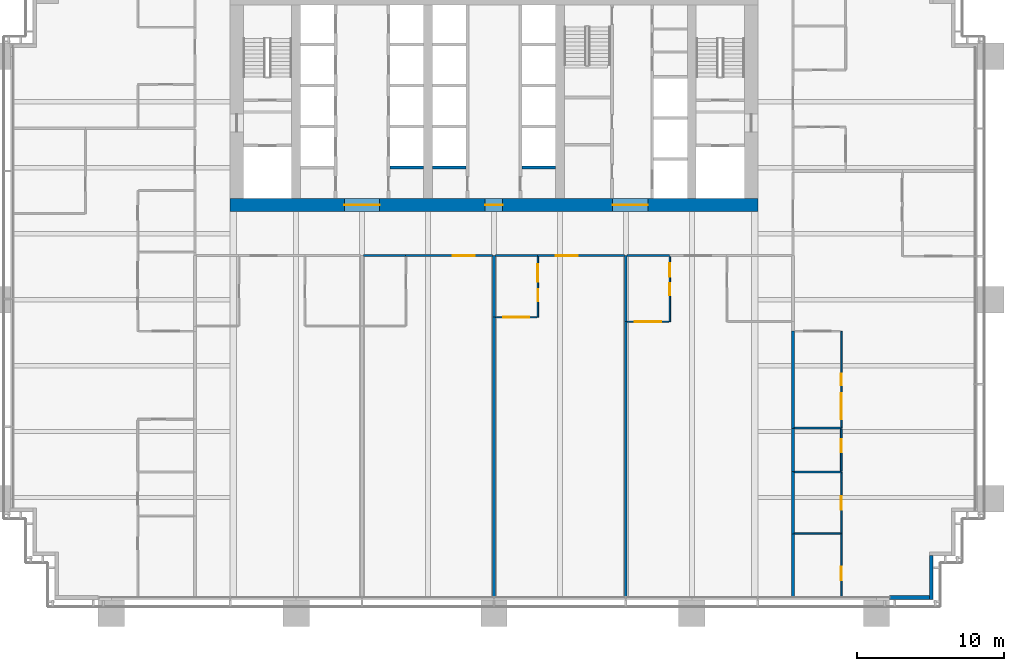
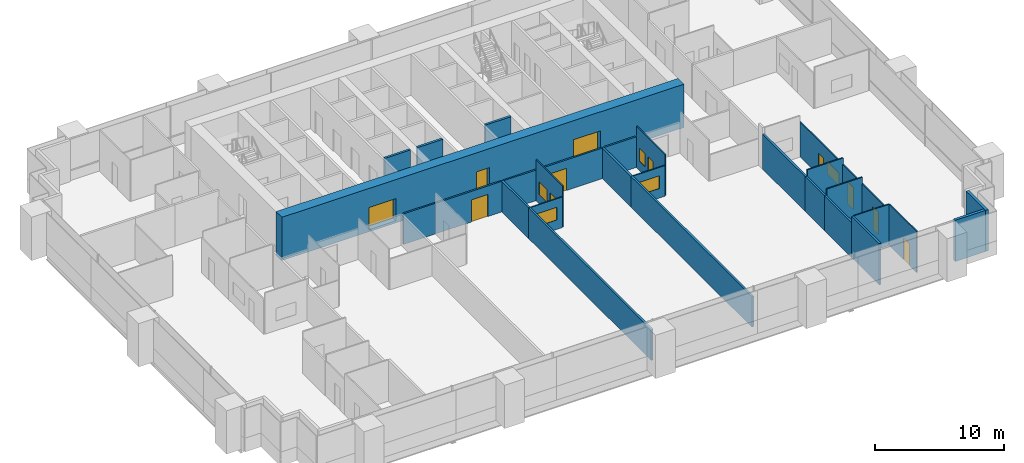
# One storey, part 12 of 20: 30 walls, 11 doors, 5 windows, 16 openings.
"""IFC4 building model written with IfcOpenShell, lengths in metres."""

from ifc_helpers import new_model, si_unit, direction, frame, frame_2d, origin, place, context, subcontext, project, spatial, rectangle, extrude, material, layer, layer_set, type_object, element, fill, save


model = new_model("IFC4")

# Units and contexts
model_context = context("Model", 3, precision=1e-05, world=origin(), true_north=direction((0.0, 1.0)))
body_context = subcontext(model_context, "Body", "Model", "MODEL_VIEW")
ifc_project = project(units=[si_unit("LENGTHUNIT", "METRE"), si_unit("AREAUNIT", "SQUARE_METRE"), si_unit("VOLUMEUNIT", "CUBIC_METRE"), si_unit("PLANEANGLEUNIT", "RADIAN"), si_unit("MASSUNIT", "GRAM", prefix="KILO")], contexts=[model_context])

# Site, building, storey
site_placement = place(None, origin())
site = spatial("IfcSite", under=ifc_project, at=site_placement, CompositionType="ELEMENT")
building_placement = place(site_placement, origin())
building = spatial("IfcBuilding", under=site, at=building_placement, Name="Rattan Terrace Tower", CompositionType="ELEMENT")
storey_placement = place(building_placement, frame((0.0, 0.0, 40.60009765625)))
storey = spatial("IfcBuildingStorey", under=building, at=storey_placement, Name="L08", CompositionType="ELEMENT", Elevation=40.60009765625)

# Wall, openings, doors
ifc_material_1 = material(Name="Concrete C70/85", Category="concrete")
ifc_layer_1 = layer(ifc_material_1, 0.89990234375)
ifc_layer_set_1 = layer_set([ifc_layer_1], Name="Core ring wall 900 C70/85")
wall_type_1 = type_object("IfcWallType", Name="Core ring wall 900 C70/85", PredefinedType="SHEAR", material=ifc_layer_set_1)
wall_1_placement = place(storey_placement, frame((-18.0, -7.050048828125, -0.2001953125), z_axis=(0.0, 0.0, 1.0), x_axis=(1.0, 0.0, 0.0)))
wall_1 = element("IfcWall", 1, at=wall_1_placement, inside=storey, type_object=wall_type_1, Name="Rear core wall south", PredefinedType="SHEAR", context=body_context, shape_type="SweptSolid", body=[
    extrude(rectangle(XDim=36.0, YDim=0.89990234375, at=frame_2d((18.0, 0.0))), origin(), (0.0, 0.0, 1.0), 4.10009765625),
])
opening_1_placement = place(wall_1_placement, frame((7.800048828125, 0.0, 0.199951171875)))
opening_1 = element("IfcOpeningElement", 2, at=opening_1_placement, cuts=wall_1, Name="Opening L08-D007", PredefinedType="OPENING", context=body_context, shape_type="SweptSolid", body=[
    extrude(rectangle(XDim=2.39990234375, YDim=2.10009765625, at=frame_2d((1.199951171875, 1.050048828125))), frame((0.0, 0.46044921875, 0.0), z_axis=(0.0, -1.0, 0.0), x_axis=(1.0, 0.0, 0.0)), (0.0, 0.0, 1.0), 0.9208984375),
])
opening_2_placement = place(wall_1_placement, frame((17.39990234375, 0.0, 0.199951171875)))
opening_2 = element("IfcOpeningElement", 3, at=opening_2_placement, cuts=wall_1, Name="Opening L08-D010", PredefinedType="OPENING", context=body_context, shape_type="SweptSolid", body=[
    extrude(rectangle(XDim=1.199951171875, YDim=2.10009765625, at=frame_2d((0.60009765625, 1.050048828125))), frame((0.0, 0.46044921875, 0.0), z_axis=(0.0, -1.0, 0.0), x_axis=(1.0, 0.0, 0.0)), (0.0, 0.0, 1.0), 0.9208984375),
])
opening_3_placement = place(wall_1_placement, frame((26.10009765625, 0.0, 0.199951171875)))
opening_3 = element("IfcOpeningElement", 4, at=opening_3_placement, cuts=wall_1, Name="Opening L08-D014", PredefinedType="OPENING", context=body_context, shape_type="SweptSolid", body=[
    extrude(rectangle(XDim=2.39990234375, YDim=2.10009765625, at=frame_2d((1.199951171875, 1.050048828125))), frame((0.0, 0.46044921875, 0.0), z_axis=(0.0, -1.0, 0.0), x_axis=(1.0, 0.0, 0.0)), (0.0, 0.0, 1.0), 0.9208984375),
])
ifc_material_2 = material(Name="Hollow-metal fire door leaf")
door_type_1 = type_object("IfcDoorType", Name="Core lift lobby door 2400", OperationType="NOTDEFINED", PredefinedType="DOOR", material=ifc_material_2)
door_1_placement = place(opening_1_placement, origin())
door_1 = element("IfcDoor", 5, at=door_1_placement, inside=storey, type_object=door_type_1, Name="Door L08-D007", OperationType="DOUBLE_DOOR_DOUBLE_SWING", OverallHeight=2.10009765625, OverallWidth=2.39990234375, PredefinedType="DOOR", context=body_context, shape_type="SweptSolid", body=[
    extrude(rectangle(XDim=2.39990234375, YDim=2.10009765625, at=frame_2d((1.199951171875, 1.050048828125))), frame((0.0, 0.02490234375, 0.0), z_axis=(0.0, -1.0, 0.0), x_axis=(1.0, 0.0, 0.0)), (0.0, 0.0, 1.0), 0.050048828125),
])
fill(opening_1, door_1)
door_2_placement = place(opening_3_placement, origin())
door_2 = element("IfcDoor", 6, at=door_2_placement, inside=storey, type_object=door_type_1, Name="Door L08-D014", OperationType="DOUBLE_DOOR_DOUBLE_SWING", OverallHeight=2.10009765625, OverallWidth=2.39990234375, PredefinedType="DOOR", context=body_context, shape_type="SweptSolid", body=[
    extrude(rectangle(XDim=2.39990234375, YDim=2.10009765625, at=frame_2d((1.199951171875, 1.050048828125))), frame((0.0, 0.02490234375, 0.0), z_axis=(0.0, -1.0, 0.0), x_axis=(1.0, 0.0, 0.0)), (0.0, 0.0, 1.0), 0.050048828125),
])
fill(opening_3, door_2)
ifc_material_3 = material(Name="Hollow-metal fire door leaf")
door_type_2 = type_object("IfcDoorType", Name="Core riser door 1200", OperationType="NOTDEFINED", PredefinedType="DOOR", material=ifc_material_3)
door_3_placement = place(opening_2_placement, origin())
door_3 = element("IfcDoor", 7, at=door_3_placement, inside=storey, type_object=door_type_2, Name="Door L08-D010", OperationType="SINGLE_SWING_RIGHT", OverallHeight=2.10009765625, OverallWidth=1.199951171875, PredefinedType="DOOR", context=body_context, shape_type="SweptSolid", body=[
    extrude(rectangle(XDim=1.199951171875, YDim=2.10009765625, at=frame_2d((0.60009765625, 1.050048828125))), frame((0.0, 0.02490234375, 0.0), z_axis=(0.0, -1.0, 0.0), x_axis=(1.0, 0.0, 0.0)), (0.0, 0.0, 1.0), 0.050048828125),
])
fill(opening_2, door_3)

# Walls
ifc_material_4 = material(Name="Insulated aluminium-clad stud wall", Category="aluminium")
ifc_layer_2 = layer(ifc_material_4, 0.25)
ifc_layer_set_2 = layer_set([ifc_layer_2], Name="Facade Riser Wall 250")
wall_type_2 = type_object("IfcWallType", Name="Facade Riser Wall 250", PredefinedType="SOLIDWALL", material=ifc_layer_set_2)
wall_2_placement = place(storey_placement, frame((27.0, -33.830078125, 0.0), z_axis=(0.0, 0.0, 1.0), x_axis=(1.0, 0.0, 0.0)))
element("IfcWall", 8, at=wall_2_placement, inside=storey, type_object=wall_type_2, Name="Riser wall L08-1", PredefinedType="SOLIDWALL", context=body_context, shape_type="SweptSolid", body=[
    extrude(rectangle(XDim=2.705078125, YDim=0.25, at=frame_2d((1.3525390625, 0.0))), origin(), (0.0, 0.0, 1.0), 3.89990234375),
])
wall_3_placement = place(storey_placement, frame((29.830078125, -33.955078125, 0.0), z_axis=(0.0, 0.0, 1.0), x_axis=(0.0, 1.0, 0.0)))
element("IfcWall", 9, at=wall_3_placement, inside=storey, type_object=wall_type_2, Name="Riser wall L08-2", PredefinedType="SOLIDWALL", context=body_context, shape_type="SweptSolid", body=[
    extrude(rectangle(XDim=3.0, YDim=0.25, at=frame_2d((1.5, 0.0))), origin(), (0.0, 0.0, 1.0), 3.89990234375),
])
ifc_material_5 = material(Name="Double steel stud acoustic partition, gypsum board, mineral wool, fire rated", Category="steel")
ifc_layer_3 = layer(ifc_material_5, 0.179931640625)
ifc_layer_set_3 = layer_set([ifc_layer_3], Name="Floors Acoustic Party Wall 180")
wall_type_3 = type_object("IfcWallType", Name="Floors Acoustic Party Wall 180", PredefinedType="PARTITIONING", material=ifc_layer_set_3)
wall_4_placement = place(storey_placement, frame((0.0, -14.679931640625, 0.0), z_axis=(0.0, 0.0, 1.0), x_axis=(0.0, -1.0, 0.0)))
element("IfcWall", 10, at=wall_4_placement, inside=storey, type_object=wall_type_3, Name="pt-L08-056", PredefinedType="PARTITIONING", context=body_context, shape_type="SweptSolid", body=[
    extrude(rectangle(XDim=19.06005859375, YDim=0.179931640625, at=frame_2d((9.530029296875, 0.0))), origin(), (0.0, 0.0, 1.0), 2.89990234375),
])
wall_5_placement = place(storey_placement, frame((0.0, -10.5, 0.0), z_axis=(0.0, 0.0, 1.0), x_axis=(0.0, -1.0, 0.0)))
element("IfcWall", 11, at=wall_5_placement, inside=storey, type_object=wall_type_3, Name="pt-L08-057", PredefinedType="PARTITIONING", context=body_context, shape_type="SweptSolid", body=[
    extrude(rectangle(XDim=4.179931640625, YDim=0.179931640625, at=frame_2d((2.08984375, 0.0))), origin(), (0.0, 0.0, 1.0), 2.89990234375),
])
wall_6_placement = place(storey_placement, frame((9.0, -14.97998046875, 0.0), z_axis=(0.0, 0.0, 1.0), x_axis=(0.0, -1.0, 0.0)))
element("IfcWall", 12, at=wall_6_placement, inside=storey, type_object=wall_type_3, Name="pt-L08-060", PredefinedType="PARTITIONING", context=body_context, shape_type="SweptSolid", body=[
    extrude(rectangle(XDim=18.760009765625, YDim=0.179931640625, at=frame_2d((9.3798828125, 0.0))), origin(), (0.0, 0.0, 1.0), 2.89990234375),
])
wall_7_placement = place(storey_placement, frame((9.0, -10.5, 0.0), z_axis=(0.0, 0.0, 1.0), x_axis=(0.0, -1.0, 0.0)))
element("IfcWall", 13, at=wall_7_placement, inside=storey, type_object=wall_type_3, Name="pt-L08-061", PredefinedType="PARTITIONING", context=body_context, shape_type="SweptSolid", body=[
    extrude(rectangle(XDim=4.47998046875, YDim=0.179931640625, at=frame_2d((2.239990234375, 0.0))), origin(), (0.0, 0.0, 1.0), 2.89990234375),
])
wall_8_placement = place(storey_placement, frame((20.39990234375, -29.47998046875, 0.0), z_axis=(0.0, 0.0, 1.0), x_axis=(0.0, -1.0, 0.0)))
element("IfcWall", 14, at=wall_8_placement, inside=storey, type_object=wall_type_3, Name="pt-L08-067", PredefinedType="PARTITIONING", context=body_context, shape_type="SweptSolid", body=[
    extrude(rectangle(XDim=4.260009765625, YDim=0.179931640625, at=frame_2d((2.1298828125, 0.0))), origin(), (0.0, 0.0, 1.0), 3.89990234375),
])
wall_9_placement = place(storey_placement, frame((20.39990234375, -25.239990234375, 0.0), z_axis=(0.0, 0.0, 1.0), x_axis=(0.0, -1.0, 0.0)))
element("IfcWall", 15, at=wall_9_placement, inside=storey, type_object=wall_type_3, Name="pt-L08-068", PredefinedType="PARTITIONING", context=body_context, shape_type="SweptSolid", body=[
    extrude(rectangle(XDim=4.239990234375, YDim=0.179931640625, at=frame_2d((2.1201171875, 0.0))), origin(), (0.0, 0.0, 1.0), 3.2998046875),
])
wall_10_placement = place(storey_placement, frame((20.39990234375, -22.280029296875, 0.0), z_axis=(0.0, 0.0, 1.0), x_axis=(0.0, -1.0, 0.0)))
element("IfcWall", 16, at=wall_10_placement, inside=storey, type_object=wall_type_3, Name="pt-L08-069", PredefinedType="PARTITIONING", context=body_context, shape_type="SweptSolid", body=[
    extrude(rectangle(XDim=2.9599609375, YDim=0.179931640625, at=frame_2d((1.47998046875, 0.0))), origin(), (0.0, 0.0, 1.0), 3.2998046875),
])
wall_11_placement = place(storey_placement, frame((20.39990234375, -15.639892578125, 0.0), z_axis=(0.0, 0.0, 1.0), x_axis=(0.0, -1.0, 0.0)))
element("IfcWall", 17, at=wall_11_placement, inside=storey, type_object=wall_type_3, Name="pt-L08-070", PredefinedType="PARTITIONING", context=body_context, shape_type="SweptSolid", body=[
    extrude(rectangle(XDim=6.64013671875, YDim=0.179931640625, at=frame_2d((3.320068359375, 0.0))), origin(), (0.0, 0.0, 1.0), 3.2998046875),
])

# Wall, opening, window
ifc_material_6 = material(Name="Gypsum board partition on steel studs", Category="steel")
ifc_layer_4 = layer(ifc_material_6, 0.10009765625)
ifc_layer_set_4 = layer_set([ifc_layer_4], Name="Floors Partition 100")
wall_type_4 = type_object("IfcWallType", Name="Floors Partition 100", PredefinedType="PARTITIONING", material=ifc_layer_set_4)
wall_12_placement = place(storey_placement, frame((0.090087890625, -14.699951171875, 0.0), z_axis=(0.0, 0.0, 1.0), x_axis=(1.0, 0.0, 0.0)))
wall_12 = element("IfcWall", 18, at=wall_12_placement, inside=storey, type_object=wall_type_4, Name="pt-L08-058", PredefinedType="PARTITIONING", context=body_context, shape_type="SweptSolid", body=[
    extrude(rectangle(XDim=2.85986328125, YDim=0.10009765625, at=frame_2d((1.429931640625, 0.0))), origin(), (0.0, 0.0, 1.0), 2.89990234375),
])
opening_4_placement = place(wall_12_placement, frame((0.530029296875, 0.0, 0.89990234375)))
opening_4 = element("IfcOpeningElement", 19, at=opening_4_placement, cuts=wall_12, Name="Opening L08-W102", PredefinedType="OPENING", context=body_context, shape_type="SweptSolid", body=[
    extrude(rectangle(XDim=1.800048828125, YDim=1.199951171875, at=frame_2d((0.89990234375, 0.60009765625))), frame((0.0, 0.060546875, 0.0), z_axis=(0.0, -1.0, 0.0), x_axis=(1.0, 0.0, 0.0)), (0.0, 0.0, 1.0), 0.12109375),
])
ifc_material_7 = material(Name="Glass, clear, fixed in aluminium frame", Category="aluminium")
window_type_1 = type_object("IfcWindowType", Name="Interior Vision Window 1800x1200", PartitioningType="SINGLE_PANEL", PredefinedType="WINDOW", material=ifc_material_7)
window_1_placement = place(opening_4_placement, origin())
window_1 = element("IfcWindow", 20, at=window_1_placement, inside=storey, type_object=window_type_1, Name="w-L08-102", OverallHeight=1.199951171875, OverallWidth=1.800048828125, PartitioningType="SINGLE_PANEL", PredefinedType="WINDOW", context=body_context, shape_type="SweptSolid", body=[
    extrude(rectangle(XDim=1.800048828125, YDim=1.199951171875, at=frame_2d((0.89990234375, 0.60009765625))), frame((0.0, 0.030029296875, 0.0), z_axis=(0.0, -1.0, 0.0), x_axis=(1.0, 0.0, 0.0)), (0.0, 0.0, 1.0), 0.06005859375),
])
fill(opening_4, window_1)

# Wall, openings, door, window
wall_13_placement = place(storey_placement, frame((3.0, -14.699951171875, 0.0), z_axis=(0.0, 0.0, 1.0), x_axis=(0.0, 1.0, 0.0)))
wall_13 = element("IfcWall", 21, at=wall_13_placement, inside=storey, type_object=wall_type_4, Name="pt-L08-059", PredefinedType="PARTITIONING", context=body_context, shape_type="SweptSolid", body=[
    extrude(rectangle(XDim=4.125, YDim=0.10009765625, at=frame_2d((2.0625, 0.0))), origin(), (0.0, 0.0, 1.0), 3.89990234375),
])
opening_5_placement = place(wall_13_placement, frame((1.097900390625, 0.0, 0.0)))
opening_5 = element("IfcOpeningElement", 22, at=opening_5_placement, cuts=wall_13, Name="Opening L08-D116", PredefinedType="OPENING", context=body_context, shape_type="SweptSolid", body=[
    extrude(rectangle(XDim=0.800048828125, YDim=2.10009765625, at=frame_2d((0.39990234375, 1.050048828125))), frame((0.0, 0.060546875, 0.0), z_axis=(0.0, -1.0, 0.0), x_axis=(1.0, 0.0, 0.0)), (0.0, 0.0, 1.0), 0.12109375),
])
opening_6_placement = place(wall_13_placement, frame((2.410888671875, 0.0, 0.89990234375)))
opening_6 = element("IfcOpeningElement", 23, at=opening_6_placement, cuts=wall_13, Name="Opening L08-W103", PredefinedType="OPENING", context=body_context, shape_type="SweptSolid", body=[
    extrude(rectangle(XDim=1.199951171875, YDim=1.199951171875, at=frame_2d((0.60009765625, 0.60009765625))), frame((0.0, 0.060546875, 0.0), z_axis=(0.0, -1.0, 0.0), x_axis=(1.0, 0.0, 0.0)), (0.0, 0.0, 1.0), 0.12109375),
])
ifc_material_8 = material(Name="Solid core timber door, painted", Category="wood")
door_type_3 = type_object("IfcDoorType", Name="Floors Store Door 800x2100", OperationType="NOTDEFINED", PredefinedType="DOOR", material=ifc_material_8)
door_4_placement = place(opening_5_placement, origin())
door_4 = element("IfcDoor", 24, at=door_4_placement, inside=storey, type_object=door_type_3, Name="d-L08-116", OperationType="SINGLE_SWING_LEFT", OverallHeight=2.10009765625, OverallWidth=0.800048828125, PredefinedType="DOOR", context=body_context, shape_type="SweptSolid", body=[
    extrude(rectangle(XDim=0.800048828125, YDim=2.10009765625, at=frame_2d((0.39990234375, 1.050048828125))), frame((0.0, 0.02490234375, 0.0), z_axis=(0.0, -1.0, 0.0), x_axis=(1.0, 0.0, 0.0)), (0.0, 0.0, 1.0), 0.050048828125),
])
fill(opening_5, door_4)
ifc_material_9 = material(Name="Glass, clear, fixed in aluminium frame", Category="aluminium")
window_type_2 = type_object("IfcWindowType", Name="Interior Vision Window 1200x1200", PartitioningType="SINGLE_PANEL", PredefinedType="WINDOW", material=ifc_material_9)
window_2_placement = place(opening_6_placement, origin())
window_2 = element("IfcWindow", 25, at=window_2_placement, inside=storey, type_object=window_type_2, Name="w-L08-103", OverallHeight=1.199951171875, OverallWidth=1.199951171875, PartitioningType="SINGLE_PANEL", PredefinedType="WINDOW", context=body_context, shape_type="SweptSolid", body=[
    extrude(rectangle(XDim=1.199951171875, YDim=1.199951171875, at=frame_2d((0.60009765625, 0.60009765625))), frame((0.0, 0.030029296875, 0.0), z_axis=(0.0, -1.0, 0.0), x_axis=(1.0, 0.0, 0.0)), (0.0, 0.0, 1.0), 0.06005859375),
])
fill(opening_6, window_2)

# Wall, opening, window
wall_14_placement = place(storey_placement, frame((9.090087890625, -15.0, 0.0), z_axis=(0.0, 0.0, 1.0), x_axis=(1.0, 0.0, 0.0)))
wall_14 = element("IfcWall", 26, at=wall_14_placement, inside=storey, type_object=wall_type_4, Name="pt-L08-062", PredefinedType="PARTITIONING", context=body_context, shape_type="SweptSolid", body=[
    extrude(rectangle(XDim=2.85986328125, YDim=0.10009765625, at=frame_2d((1.429931640625, 0.0))), origin(), (0.0, 0.0, 1.0), 2.89990234375),
])
opening_7_placement = place(wall_14_placement, frame((0.530029296875, 0.0, 0.89990234375)))
opening_7 = element("IfcOpeningElement", 27, at=opening_7_placement, cuts=wall_14, Name="Opening L08-W104", PredefinedType="OPENING", context=body_context, shape_type="SweptSolid", body=[
    extrude(rectangle(XDim=1.800048828125, YDim=1.199951171875, at=frame_2d((0.89990234375, 0.60009765625))), frame((0.0, 0.060546875, 0.0), z_axis=(0.0, -1.0, 0.0), x_axis=(1.0, 0.0, 0.0)), (0.0, 0.0, 1.0), 0.12109375),
])
window_3_placement = place(opening_7_placement, origin())
window_3 = element("IfcWindow", 28, at=window_3_placement, inside=storey, type_object=window_type_1, Name="w-L08-104", OverallHeight=1.199951171875, OverallWidth=1.800048828125, PartitioningType="SINGLE_PANEL", PredefinedType="WINDOW", context=body_context, shape_type="SweptSolid", body=[
    extrude(rectangle(XDim=1.800048828125, YDim=1.199951171875, at=frame_2d((0.89990234375, 0.60009765625))), frame((0.0, 0.030029296875, 0.0), z_axis=(0.0, -1.0, 0.0), x_axis=(1.0, 0.0, 0.0)), (0.0, 0.0, 1.0), 0.06005859375),
])
fill(opening_7, window_3)

# Wall, openings, door, window
wall_15_placement = place(storey_placement, frame((12.0, -15.0, 0.0), z_axis=(0.0, 0.0, 1.0), x_axis=(0.0, 1.0, 0.0)))
wall_15 = element("IfcWall", 29, at=wall_15_placement, inside=storey, type_object=wall_type_4, Name="pt-L08-063", PredefinedType="PARTITIONING", context=body_context, shape_type="SweptSolid", body=[
    extrude(rectangle(XDim=4.425048828125, YDim=0.10009765625, at=frame_2d((2.21240234375, 0.0))), origin(), (0.0, 0.0, 1.0), 3.89990234375),
])
opening_8_placement = place(wall_15_placement, frame((1.81298828125, 0.0, 0.0)))
opening_8 = element("IfcOpeningElement", 30, at=opening_8_placement, cuts=wall_15, Name="Opening L08-D118", PredefinedType="OPENING", context=body_context, shape_type="SweptSolid", body=[
    extrude(rectangle(XDim=0.800048828125, YDim=2.10009765625, at=frame_2d((0.39990234375, 1.050048828125))), frame((0.0, 0.060546875, 0.0), z_axis=(0.0, -1.0, 0.0), x_axis=(1.0, 0.0, 0.0)), (0.0, 0.0, 1.0), 0.12109375),
])
opening_9_placement = place(wall_15_placement, frame((3.069091796875, 0.0, 0.89990234375)))
opening_9 = element("IfcOpeningElement", 31, at=opening_9_placement, cuts=wall_15, Name="Opening L08-W105", PredefinedType="OPENING", context=body_context, shape_type="SweptSolid", body=[
    extrude(rectangle(XDim=0.89990234375, YDim=1.199951171875, at=frame_2d((0.449951171875, 0.60009765625))), frame((0.0, 0.060546875, 0.0), z_axis=(0.0, -1.0, 0.0), x_axis=(1.0, 0.0, 0.0)), (0.0, 0.0, 1.0), 0.12109375),
])
door_5_placement = place(opening_8_placement, origin())
door_5 = element("IfcDoor", 32, at=door_5_placement, inside=storey, type_object=door_type_3, Name="d-L08-118", OperationType="SINGLE_SWING_LEFT", OverallHeight=2.10009765625, OverallWidth=0.800048828125, PredefinedType="DOOR", context=body_context, shape_type="SweptSolid", body=[
    extrude(rectangle(XDim=0.800048828125, YDim=2.10009765625, at=frame_2d((0.39990234375, 1.050048828125))), frame((0.0, 0.02490234375, 0.0), z_axis=(0.0, -1.0, 0.0), x_axis=(1.0, 0.0, 0.0)), (0.0, 0.0, 1.0), 0.050048828125),
])
fill(opening_8, door_5)
ifc_material_10 = material(Name="Glass, clear, fixed in aluminium frame", Category="aluminium")
window_type_3 = type_object("IfcWindowType", Name="Interior Vision Window 900x1200", PartitioningType="SINGLE_PANEL", PredefinedType="WINDOW", material=ifc_material_10)
window_4_placement = place(opening_9_placement, origin())
window_4 = element("IfcWindow", 33, at=window_4_placement, inside=storey, type_object=window_type_3, Name="w-L08-105", OverallHeight=1.199951171875, OverallWidth=0.89990234375, PartitioningType="SINGLE_PANEL", PredefinedType="WINDOW", context=body_context, shape_type="SweptSolid", body=[
    extrude(rectangle(XDim=0.89990234375, YDim=1.199951171875, at=frame_2d((0.449951171875, 0.60009765625))), frame((0.0, 0.030029296875, 0.0), z_axis=(0.0, -1.0, 0.0), x_axis=(1.0, 0.0, 0.0)), (0.0, 0.0, 1.0), 0.06005859375),
])
fill(opening_9, window_4)

# Wall, opening, door
wall_16_placement = place(storey_placement, frame((23.699951171875, -33.739990234375, 0.0), z_axis=(0.0, 0.0, 1.0), x_axis=(0.0, 1.0, 0.0)))
wall_16 = element("IfcWall", 34, at=wall_16_placement, inside=storey, type_object=wall_type_4, Name="pt-L08-074", PredefinedType="PARTITIONING", context=body_context, shape_type="SweptSolid", body=[
    extrude(rectangle(XDim=4.260009765625, YDim=0.10009765625, at=frame_2d((2.1298828125, 0.0))), origin(), (0.0, 0.0, 1.0), 3.89990234375),
])
opening_10_placement = place(wall_16_placement, frame((1.10791015625, 0.0, 0.0)))
opening_10 = element("IfcOpeningElement", 35, at=opening_10_placement, cuts=wall_16, Name="Opening L08-D122", PredefinedType="OPENING", context=body_context, shape_type="SweptSolid", body=[
    extrude(rectangle(XDim=0.89990234375, YDim=2.10009765625, at=frame_2d((0.449951171875, 1.050048828125))), frame((0.0, 0.060546875, 0.0), z_axis=(0.0, -1.0, 0.0), x_axis=(1.0, 0.0, 0.0)), (0.0, 0.0, 1.0), 0.12109375),
])
ifc_material_11 = material(Name="Solid core timber door, painted", Category="wood")
door_type_4 = type_object("IfcDoorType", Name="Floors Door 900x2100", OperationType="NOTDEFINED", PredefinedType="DOOR", material=ifc_material_11)
door_6_placement = place(opening_10_placement, origin())
door_6 = element("IfcDoor", 36, at=door_6_placement, inside=storey, type_object=door_type_4, Name="d-L08-122", OperationType="SINGLE_SWING_LEFT", OverallHeight=2.10009765625, OverallWidth=0.89990234375, PredefinedType="DOOR", context=body_context, shape_type="SweptSolid", body=[
    extrude(rectangle(XDim=0.89990234375, YDim=2.10009765625, at=frame_2d((0.449951171875, 1.050048828125))), frame((0.0, 0.02490234375, 0.0), z_axis=(0.0, -1.0, 0.0), x_axis=(1.0, 0.0, 0.0)), (0.0, 0.0, 1.0), 0.050048828125),
])
fill(opening_10, door_6)

wall_17_placement = place(storey_placement, frame((23.699951171875, -29.47998046875, 0.0), z_axis=(0.0, 0.0, 1.0), x_axis=(0.0, 1.0, 0.0)))
wall_17 = element("IfcWall", 37, at=wall_17_placement, inside=storey, type_object=wall_type_4, Name="pt-L08-075", PredefinedType="PARTITIONING", context=body_context, shape_type="SweptSolid", body=[
    extrude(rectangle(XDim=4.199951171875, YDim=0.10009765625, at=frame_2d((2.10009765625, 0.0))), origin(), (0.0, 0.0, 1.0), 3.2998046875),
])
opening_11_placement = place(wall_17_placement, frame((1.64990234375, 0.0, 0.0)))
opening_11 = element("IfcOpeningElement", 38, at=opening_11_placement, cuts=wall_17, Name="Opening L08-D123", PredefinedType="OPENING", context=body_context, shape_type="SweptSolid", body=[
    extrude(rectangle(XDim=0.89990234375, YDim=2.10009765625, at=frame_2d((0.449951171875, 1.050048828125))), frame((0.0, 0.060546875, 0.0), z_axis=(0.0, -1.0, 0.0), x_axis=(1.0, 0.0, 0.0)), (0.0, 0.0, 1.0), 0.12109375),
])
door_7_placement = place(opening_11_placement, origin())
door_7 = element("IfcDoor", 39, at=door_7_placement, inside=storey, type_object=door_type_4, Name="d-L08-123", OperationType="SINGLE_SWING_RIGHT", OverallHeight=2.10009765625, OverallWidth=0.89990234375, PredefinedType="DOOR", context=body_context, shape_type="SweptSolid", body=[
    extrude(rectangle(XDim=0.89990234375, YDim=2.10009765625, at=frame_2d((0.449951171875, 1.050048828125))), frame((0.0, 0.02490234375, 0.0), z_axis=(0.0, -1.0, 0.0), x_axis=(1.0, 0.0, 0.0)), (0.0, 0.0, 1.0), 0.050048828125),
])
fill(opening_11, door_7)

# Wall, openings, door, window
wall_18_placement = place(storey_placement, frame((23.699951171875, -22.239990234375, 0.0), z_axis=(0.0, 0.0, 1.0), x_axis=(0.0, 1.0, 0.0)))
wall_18 = element("IfcWall", 40, at=wall_18_placement, inside=storey, type_object=wall_type_4, Name="pt-L08-078", PredefinedType="PARTITIONING", context=body_context, shape_type="SweptSolid", body=[
    extrude(rectangle(XDim=6.580078125, YDim=0.10009765625, at=frame_2d((3.2900390625, 0.0))), origin(), (0.0, 0.0, 1.0), 3.2998046875),
])
opening_12_placement = place(wall_18_placement, frame((2.889892578125, 0.0, 0.0)))
opening_12 = element("IfcOpeningElement", 41, at=opening_12_placement, cuts=wall_18, Name="Opening L08-D125", PredefinedType="OPENING", context=body_context, shape_type="SweptSolid", body=[
    extrude(rectangle(XDim=0.800048828125, YDim=2.10009765625, at=frame_2d((0.39990234375, 1.050048828125))), frame((0.0, 0.060546875, 0.0), z_axis=(0.0, -1.0, 0.0), x_axis=(1.0, 0.0, 0.0)), (0.0, 0.0, 1.0), 0.12109375),
])
opening_13_placement = place(wall_18_placement, frame((0.56494140625, 0.0, 0.89990234375)))
opening_13 = element("IfcOpeningElement", 42, at=opening_13_placement, cuts=wall_18, Name="Opening L08-W109", PredefinedType="OPENING", context=body_context, shape_type="SweptSolid", body=[
    extrude(rectangle(XDim=1.800048828125, YDim=1.199951171875, at=frame_2d((0.89990234375, 0.60009765625))), frame((0.0, 0.060546875, 0.0), z_axis=(0.0, -1.0, 0.0), x_axis=(1.0, 0.0, 0.0)), (0.0, 0.0, 1.0), 0.12109375),
])
door_8_placement = place(opening_12_placement, origin())
door_8 = element("IfcDoor", 43, at=door_8_placement, inside=storey, type_object=door_type_3, Name="d-L08-125", OperationType="SINGLE_SWING_RIGHT", OverallHeight=2.10009765625, OverallWidth=0.800048828125, PredefinedType="DOOR", context=body_context, shape_type="SweptSolid", body=[
    extrude(rectangle(XDim=0.800048828125, YDim=2.10009765625, at=frame_2d((0.39990234375, 1.050048828125))), frame((0.0, 0.02490234375, 0.0), z_axis=(0.0, -1.0, 0.0), x_axis=(1.0, 0.0, 0.0)), (0.0, 0.0, 1.0), 0.050048828125),
])
fill(opening_12, door_8)
window_5_placement = place(opening_13_placement, origin())
window_5 = element("IfcWindow", 44, at=window_5_placement, inside=storey, type_object=window_type_1, Name="w-L08-109", OverallHeight=1.199951171875, OverallWidth=1.800048828125, PartitioningType="SINGLE_PANEL", PredefinedType="WINDOW", context=body_context, shape_type="SweptSolid", body=[
    extrude(rectangle(XDim=1.800048828125, YDim=1.199951171875, at=frame_2d((0.89990234375, 0.60009765625))), frame((0.0, 0.030029296875, 0.0), z_axis=(0.0, -1.0, 0.0), x_axis=(1.0, 0.0, 0.0)), (0.0, 0.0, 1.0), 0.06005859375),
])
fill(opening_13, window_5)

# Wall
wall_19_placement = place(storey_placement, frame((20.489990234375, -29.4599609375, 0.0), z_axis=(0.0, 0.0, 1.0), x_axis=(1.0, 0.0, 0.0)))
element("IfcWall", 45, at=wall_19_placement, inside=storey, type_object=wall_type_4, Name="pt-L08-082", PredefinedType="PARTITIONING", context=body_context, shape_type="SweptSolid", body=[
    extrude(rectangle(XDim=3.159912109375, YDim=0.10009765625, at=frame_2d((1.580078125, 0.0))), origin(), (0.0, 0.0, 1.0), 3.89990234375),
])

# Wall, opening, door
ifc_material_12 = material(Name="Gypsum board partition on steel studs, fire rated", Category="steel")
ifc_layer_5 = layer(ifc_material_12, 0.14990234375)
ifc_layer_set_5 = layer_set([ifc_layer_5], Name="Floors Tenancy Wall 150")
wall_type_5 = type_object("IfcWallType", Name="Floors Tenancy Wall 150", PredefinedType="PARTITIONING", material=ifc_layer_set_5)
wall_20_placement = place(storey_placement, frame((-0.090087890625, -10.5, 0.0), z_axis=(0.0, 0.0, 1.0), x_axis=(-1.0, 0.0, 0.0)))
wall_20 = element("IfcWall", 46, at=wall_20_placement, inside=storey, type_object=wall_type_5, Name="pt-L08-010", PredefinedType="PARTITIONING", context=body_context, shape_type="SweptSolid", body=[
    extrude(rectangle(XDim=5.929931640625, YDim=0.14990234375, at=frame_2d((2.96484375, 0.0))), origin(), (0.0, 0.0, 1.0), 2.89990234375),
])
opening_14_placement = place(wall_20_placement, frame((1.23193359375, 0.0, 0.0)))
opening_14 = element("IfcOpeningElement", 47, at=opening_14_placement, cuts=wall_20, Name="Opening L08-D113", PredefinedType="OPENING", context=body_context, shape_type="SweptSolid", body=[
    extrude(rectangle(XDim=1.5, YDim=2.10009765625, at=frame_2d((0.75, 1.050048828125))), frame((0.0, 0.08544921875, 0.0), z_axis=(0.0, -1.0, 0.0), x_axis=(1.0, 0.0, 0.0)), (0.0, 0.0, 1.0), 0.1708984375),
])
ifc_material_13 = material(Name="Steel fire door set", Category="steel")
door_type_5 = type_object("IfcDoorType", Name="Floors Unit Door Pair FD30S 1500x2100", OperationType="NOTDEFINED", PredefinedType="DOOR", material=ifc_material_13)
door_9_placement = place(opening_14_placement, origin())
door_9 = element("IfcDoor", 48, at=door_9_placement, inside=storey, type_object=door_type_5, Name="d-L08-113", OperationType="DOUBLE_DOOR_SINGLE_SWING", OverallHeight=2.10009765625, OverallWidth=1.5, PredefinedType="DOOR", context=body_context, shape_type="SweptSolid", body=[
    extrude(rectangle(XDim=1.5, YDim=2.10009765625, at=frame_2d((0.75, 1.050048828125))), frame((0.0, 0.02490234375, 0.0), z_axis=(0.0, -1.0, 0.0), x_axis=(1.0, 0.0, 0.0)), (0.0, 0.0, 1.0), 0.050048828125),
])
fill(opening_14, door_9)

# Wall
wall_21_placement = place(storey_placement, frame((-6.02001953125, -10.5, 0.0), z_axis=(0.0, 0.0, 1.0), x_axis=(-1.0, 0.0, 0.0)))
element("IfcWall", 49, at=wall_21_placement, inside=storey, type_object=wall_type_5, Name="pt-L08-011", PredefinedType="PARTITIONING", context=body_context, shape_type="SweptSolid", body=[
    extrude(rectangle(XDim=2.889892578125, YDim=0.14990234375, at=frame_2d((1.44482421875, 0.0))), origin(), (0.0, 0.0, 1.0), 2.89990234375),
])

# Wall, opening, door
wall_22_placement = place(storey_placement, frame((8.909912109375, -10.5, 0.0), z_axis=(0.0, 0.0, 1.0), x_axis=(-1.0, 0.0, 0.0)))
wall_22 = element("IfcWall", 50, at=wall_22_placement, inside=storey, type_object=wall_type_5, Name="pt-L08-012", PredefinedType="PARTITIONING", context=body_context, shape_type="SweptSolid", body=[
    extrude(rectangle(XDim=5.929931640625, YDim=0.14990234375, at=frame_2d((2.96484375, 0.0))), origin(), (0.0, 0.0, 1.0), 2.89990234375),
])
opening_15_placement = place(wall_22_placement, frame((3.197021484375, 0.0, 0.0)))
opening_15 = element("IfcOpeningElement", 51, at=opening_15_placement, cuts=wall_22, Name="Opening L08-D115", PredefinedType="OPENING", context=body_context, shape_type="SweptSolid", body=[
    extrude(rectangle(XDim=1.5, YDim=2.10009765625, at=frame_2d((0.75, 1.050048828125))), frame((0.0, 0.08544921875, 0.0), z_axis=(0.0, -1.0, 0.0), x_axis=(1.0, 0.0, 0.0)), (0.0, 0.0, 1.0), 0.1708984375),
])
door_10_placement = place(opening_15_placement, origin())
door_10 = element("IfcDoor", 52, at=door_10_placement, inside=storey, type_object=door_type_5, Name="d-L08-115", OperationType="DOUBLE_DOOR_SINGLE_SWING", OverallHeight=2.10009765625, OverallWidth=1.5, PredefinedType="DOOR", context=body_context, shape_type="SweptSolid", body=[
    extrude(rectangle(XDim=1.5, YDim=2.10009765625, at=frame_2d((0.75, 1.050048828125))), frame((0.0, 0.02490234375, 0.0), z_axis=(0.0, -1.0, 0.0), x_axis=(1.0, 0.0, 0.0)), (0.0, 0.0, 1.0), 0.050048828125),
])
fill(opening_15, door_10)

# Walls
for number, where, z_axis, x_axis, name in (
    (53, (2.97998046875, -10.5, 0.0), (0.0, 0.0, 1.0), (-1.0, 0.0, 0.0), "pt-L08-013"),
    (54, (11.97998046875, -10.5, 0.0), (0.0, 0.0, 1.0), (-1.0, 0.0, 0.0), "pt-L08-015"),
):
    element("IfcWall", number, at=place(storey_placement, frame(where, z_axis=z_axis, x_axis=x_axis)), inside=storey, type_object=wall_type_5, Name=name, PredefinedType="PARTITIONING", context=body_context, shape_type="SweptSolid", body=[
        extrude(rectangle(XDim=2.889892578125, YDim=0.14990234375, at=frame_2d((1.44482421875, 0.0))), origin(), (0.0, 0.0, 1.0), 2.89990234375),
    ])

# Wall, opening, door
ifc_material_14 = material(Name="Moisture resistant gypsum board partition on steel studs with service cavity", Category="steel")
ifc_layer_6 = layer(ifc_material_14, 0.1201171875)
ifc_layer_set_6 = layer_set([ifc_layer_6], Name="Floors Wet Wall 120")
wall_type_6 = type_object("IfcWallType", Name="Floors Wet Wall 120", PredefinedType="PARTITIONING", material=ifc_layer_set_6)
wall_23_placement = place(storey_placement, frame((23.700927734375, -25.199951171875, 0.0), z_axis=(0.0, 0.0, 1.0), x_axis=(0.0, 1.0, 0.0)))
wall_23 = element("IfcWall", 55, at=wall_23_placement, inside=storey, type_object=wall_type_6, Name="pt-L08-076", PredefinedType="PARTITIONING", context=body_context, shape_type="SweptSolid", body=[
    extrude(rectangle(XDim=2.8798828125, YDim=0.1201171875, at=frame_2d((1.43994140625, 0.0))), origin(), (0.0, 0.0, 1.0), 3.2998046875),
])
opening_16_placement = place(wall_23_placement, frame((1.285888671875, 0.0, 0.0)))
opening_16 = element("IfcOpeningElement", 56, at=opening_16_placement, cuts=wall_23, Name="Opening L08-D124", PredefinedType="OPENING", context=body_context, shape_type="SweptSolid", body=[
    extrude(rectangle(XDim=0.89990234375, YDim=2.10009765625, at=frame_2d((0.449951171875, 1.050048828125))), frame((0.0, 0.070556640625, 0.0), z_axis=(0.0, -1.0, 0.0), x_axis=(1.0, 0.0, 0.0)), (0.0, 0.0, 1.0), 0.14111328125),
])
door_11_placement = place(opening_16_placement, origin())
door_11 = element("IfcDoor", 57, at=door_11_placement, inside=storey, type_object=door_type_4, Name="d-L08-124", OperationType="SINGLE_SWING_RIGHT", OverallHeight=2.10009765625, OverallWidth=0.89990234375, PredefinedType="DOOR", context=body_context, shape_type="SweptSolid", body=[
    extrude(rectangle(XDim=0.89990234375, YDim=2.10009765625, at=frame_2d((0.449951171875, 1.050048828125))), frame((0.0, 0.02490234375, 0.0), z_axis=(0.0, -1.0, 0.0), x_axis=(1.0, 0.0, 0.0)), (0.0, 0.0, 1.0), 0.050048828125),
])
fill(opening_16, door_11)

# Walls
for number, where, z_axis, x_axis, name in (
    (58, (20.489990234375, -25.260009765625, 0.0), (0.0, 0.0, 1.0), (1.0, 0.0, 0.0), "pt-L08-083"),
    (59, (20.489990234375, -22.260009765625, 0.0), (0.0, 0.0, 1.0), (1.0, 0.0, 0.0), "pt-L08-084"),
):
    element("IfcWall", number, at=place(storey_placement, frame(where, z_axis=z_axis, x_axis=x_axis)), inside=storey, type_object=wall_type_6, Name=name, PredefinedType="PARTITIONING", context=body_context, shape_type="SweptSolid", body=[
        extrude(rectangle(XDim=3.2099609375, YDim=0.1201171875, at=frame_2d((1.60498046875, 0.0))), origin(), (0.0, 0.0, 1.0), 3.89990234375),
    ])
ifc_material_15 = material(Name="Gypsum shaft wall system")
ifc_layer_7 = layer(ifc_material_15, 0.199951171875)
ifc_layer_set_7 = layer_set([ifc_layer_7], Name="Lift shaft wall 200")
wall_type_7 = type_object("IfcWallType", Name="Lift shaft wall 200", PredefinedType="PARTITIONING", material=ifc_layer_set_7)
for number, where, z_axis, x_axis, name in (
    (60, (-7.10009765625, -4.5, 0.0), (0.0, 0.0, 1.0), (1.0, 0.0, 0.0), "Lift shaft wall"),
    (61, (-4.199951171875, -4.5, 0.0), (0.0, 0.0, 1.0), (1.0, 0.0, 0.0), "Lift shaft wall"),
    (62, (1.89990234375, -4.5, 0.0), (0.0, 0.0, 1.0), (1.0, 0.0, 0.0), "Lift shaft wall"),
):
    element("IfcWall", number, at=place(storey_placement, frame(where, z_axis=z_axis, x_axis=x_axis)), inside=storey, type_object=wall_type_7, Name=name, PredefinedType="PARTITIONING", context=body_context, shape_type="SweptSolid", body=[
        extrude(rectangle(XDim=2.300048828125, YDim=0.199951171875, at=frame_2d((1.14990234375, 0.0))), origin(), (0.0, 0.0, 1.0), 3.89990234375),
    ])

save(model, "model.ifc")
